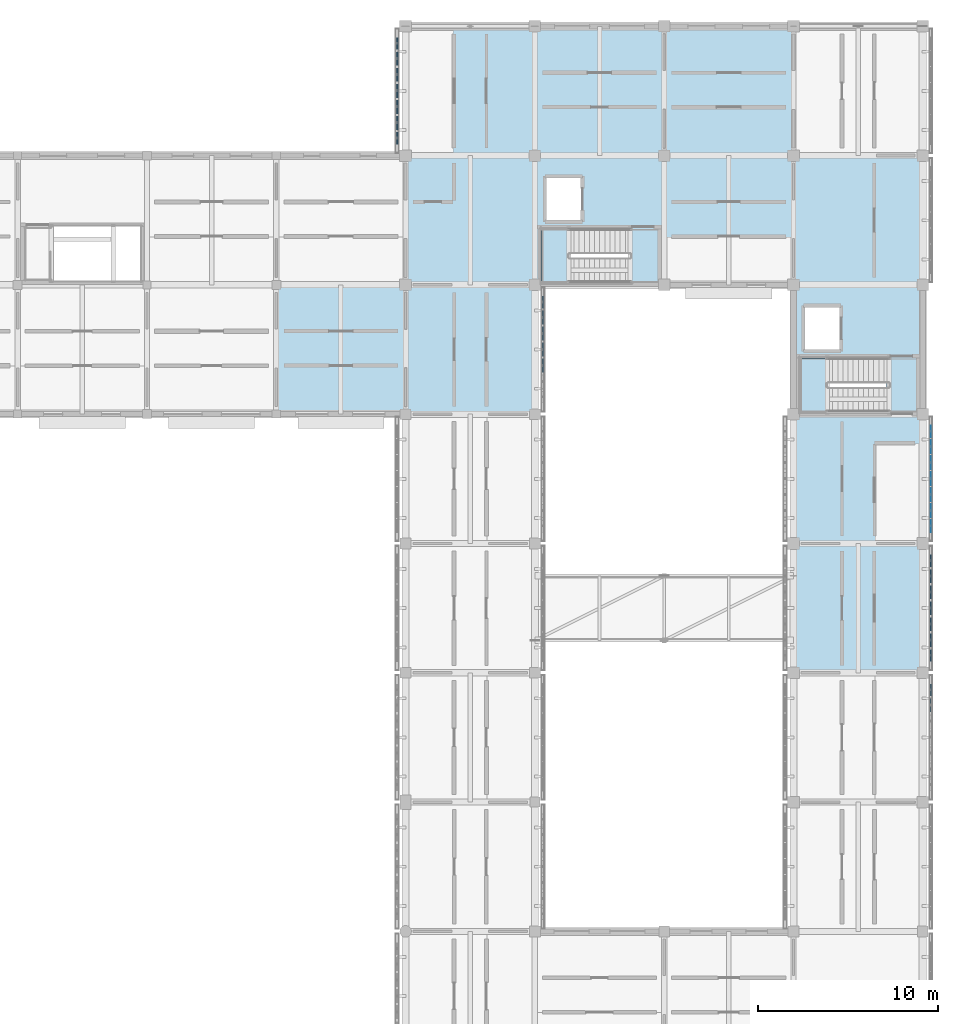
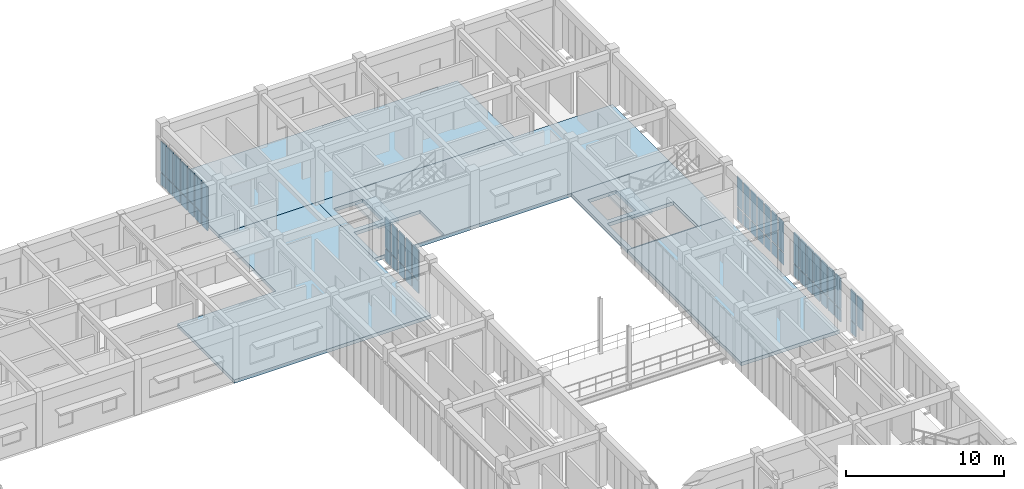
# One storey, part 111 of 171: 55 plates, 7 slabs, 7 elements without a shape of their own.
"""IFC4 building model written with IfcOpenShell, lengths in metres."""

import ifcopenshell
import ifcopenshell.guid

model = None  # the IFC model being written
_history = None  # IfcOwnerHistory: only IFC2X3 demands one
_inside = {}  # id of a spatial element -> (the spatial element, [elements in it])
_under = {}  # id of a project, library or spatial element -> (it, [spatial elements below it])
_declared = {}  # id of a project -> (the project, [libraries it declares])
_typed = {}  # id of a type object -> (the type object, [elements of that type])
_made_of = {}  # id of a material, layer set ... -> (it, [elements and type objects made of it])


def new_model(schema):
    """Start an empty IFC model of exactly this schema.

    Asked for "IFC4X3", IfcOpenShell would pick the latest addendum, in which some entities
    have other attributes; the version numbers below select the first issue.
    IFC2X3 requires an IfcOwnerHistory on every rooted entity: one is made here for all.
    """
    global model, _history
    if schema == "IFC4X3":
        model = ifcopenshell.file(schema_version=(4, 3, 0, 0))
    else:
        model = ifcopenshell.file(schema=schema)
    _inside.clear()
    _under.clear()
    _declared.clear()
    _typed.clear()
    _made_of.clear()
    _history = None
    if model.schema == "IFC2X3":
        org = make("IfcOrganization", Name="unknown")
        user = make(
            "IfcPersonAndOrganization",
            ThePerson=make("IfcPerson", FamilyName="unknown"),
            TheOrganization=org,
        )
        app = make(
            "IfcApplication",
            ApplicationDeveloper=org,
            Version="unknown",
            ApplicationFullName="unknown",
            ApplicationIdentifier="unknown",
        )
        _history = make(
            "IfcOwnerHistory",
            OwningUser=user,
            OwningApplication=app,
            ChangeAction="ADDED",
            CreationDate=0,
        )
    return model


def make(cls, **values):
    """One entity of the class cls with the attributes given. An attribute that is None is left unset."""
    return model.create_entity(
        cls, **{name: value for name, value in values.items() if value is not None}
    )


def rooted(cls, **values):
    """An entity with a GlobalId (a new one), such as an element, a storey or a relation."""
    return make(cls, GlobalId=ifcopenshell.guid.new(), OwnerHistory=_history, **values)


def si_unit(unit_type, name, prefix=None):
    """IfcSIUnit, for example si_unit("LENGTHUNIT", "METRE", prefix="MILLI")."""
    return make("IfcSIUnit", UnitType=unit_type, Prefix=prefix, Name=name)


def assignment(units):
    """IfcUnitAssignment: the units of a project."""
    return None if units is None else make("IfcUnitAssignment", Units=units)


def point(xyz):
    """IfcCartesianPoint."""
    return None if xyz is None else make("IfcCartesianPoint", Coordinates=xyz)


def direction(xyz):
    """IfcDirection."""
    return None if xyz is None else make("IfcDirection", DirectionRatios=xyz)


def frame(location, z_axis=None, x_axis=None):
    """IfcAxis2Placement3D, a coordinate frame: its origin and axes. An axis left out is left unset."""
    return make(
        "IfcAxis2Placement3D",
        Location=point(location),
        Axis=direction(z_axis),
        RefDirection=direction(x_axis),
    )


def frame_2d(location, x_axis=None):
    """IfcAxis2Placement2D, a coordinate frame in the plane: its origin and x axis."""
    return make(
        "IfcAxis2Placement2D", Location=point(location), RefDirection=direction(x_axis)
    )


def origin():
    """The frame at (0, 0, 0) with its axes left unset."""
    return frame((0.0, 0.0, 0.0))


def origin_2d():
    """The frame at (0, 0) in the plane with its x axis left unset."""
    return frame_2d((0.0, 0.0))


def place(relative_to, where):
    """IfcLocalPlacement: puts the frame where relative to a parent placement (None: the world)."""
    return make(
        "IfcLocalPlacement", PlacementRelTo=relative_to, RelativePlacement=where
    )


def context(
    kind, dimensions, precision=None, world=None, true_north=None, identifier=None
):
    """IfcGeometricRepresentationContext, for example the 3D "Model" context."""
    return make(
        "IfcGeometricRepresentationContext",
        ContextIdentifier=identifier,
        ContextType=kind,
        CoordinateSpaceDimension=dimensions,
        Precision=precision,
        WorldCoordinateSystem=world,
        TrueNorth=true_north,
    )


def subcontext(parent, identifier, kind, view, scale=None):
    """IfcGeometricRepresentationSubContext, for example "Body" below "Model"."""
    return make(
        "IfcGeometricRepresentationSubContext",
        ContextIdentifier=identifier,
        ContextType=kind,
        ParentContext=parent,
        TargetScale=scale,
        TargetView=view,
    )


def project(units=None, contexts=None):
    """IfcProject with its units and contexts."""
    return rooted(
        "IfcProject",
        Name="project",
        RepresentationContexts=contexts,
        UnitsInContext=assignment(units),
    )


def spatial(cls, under=None, at=None, **own):
    """A site, building, storey or space (cls), placed at a placement, below another one or the project."""
    s = rooted(cls, ObjectPlacement=at, **own)
    if under is not None:
        _under.setdefault(under.id(), (under, []))[1].append(s)
    return s


def polyline(points):
    """IfcPolyline through the points."""
    return make("IfcPolyline", Points=[point(p) for p in points])


def profile(cls, at=None, kind="AREA", **sizes):
    """A parametric profile (cls). Its sizes go by their IFC names, for example OverallWidth=200.0."""
    return make(cls, ProfileType=kind, Position=at, **sizes)


def rectangle(**sizes):
    """IfcRectangleProfileDef."""
    return profile("IfcRectangleProfileDef", **sizes)


def outline(outer, holes=None, kind="AREA"):
    """IfcArbitraryClosedProfileDef: a profile drawn as a closed curve; with holes, ...WithVoids."""
    if holes is None:
        return make("IfcArbitraryClosedProfileDef", ProfileType=kind, OuterCurve=outer)
    return make(
        "IfcArbitraryProfileDefWithVoids",
        ProfileType=kind,
        OuterCurve=outer,
        InnerCurves=holes,
    )


def extrude(swept, where, along, depth):
    """IfcExtrudedAreaSolid: the profile swept, set in the frame where, extruded along a direction by depth."""
    return make(
        "IfcExtrudedAreaSolid",
        SweptArea=swept,
        Position=where,
        ExtrudedDirection=direction(along),
        Depth=depth,
    )


def shape(context_of_items, identifier, shape_type, items):
    """IfcShapeRepresentation: the items that make up one representation, for example the "Body"."""
    return make(
        "IfcShapeRepresentation",
        ContextOfItems=context_of_items,
        RepresentationIdentifier=identifier,
        RepresentationType=shape_type,
        Items=items,
    )


def material(Name=None, Category=None):
    """IfcMaterial."""
    return make("IfcMaterial", Name=Name, Category=Category)


def layer(
    of_material, thickness, ventilated=None, Name=None, Category=None, Priority=None
):
    """IfcMaterialLayer: one layer of a wall or slab, of a material (None: an air gap)."""
    return make(
        "IfcMaterialLayer",
        Material=of_material,
        LayerThickness=thickness,
        IsVentilated=ventilated,
        Name=Name,
        Category=Category,
        Priority=Priority,
    )


def layer_set(layers, Name=None):
    """IfcMaterialLayerSet."""
    return make("IfcMaterialLayerSet", MaterialLayers=layers, LayerSetName=Name)


def made_of(thing, what):
    """Note that an element or type object is made of a material, layer set ...; save() writes the relation."""
    if what is not None:
        _made_of.setdefault(what.id(), (what, []))[1].append(thing)
    return thing


def type_object(cls, material=None, **own):
    """A type object (cls), such as IfcWallType, which elements share."""
    return made_of(rooted(cls, **own), material)


def element(
    cls,
    number,
    at=None,
    inside=None,
    cuts=None,
    type_object=None,
    material=None,
    context=None,
    identifier="Body",
    shape_type=None,
    held_by="IfcProductDefinitionShape",
    body=None,
    shapes=None,
    **own,
):
    """One element of the class cls, such as IfcWall. Its Tag is "e" and its number.

    at: its placement. inside: the storey or other place that contains it. cuts: it is an
    opening in that element (IfcRelVoidsElement). A single representation is given by context,
    identifier, shape_type and body (its items); several are given by shapes. held_by: the class
    of the entity that holds the representations. save() writes the other relations.
    """
    e = rooted(cls, Tag="e%d" % number, ObjectPlacement=at, **own)
    if body is not None:
        shapes = [shape(context, identifier, shape_type, body)]
    if shapes is not None:
        e.Representation = make(held_by, Representations=shapes)
    if inside is not None:
        _inside.setdefault(inside.id(), (inside, []))[1].append(e)
    if cuts is not None:
        rooted(
            "IfcRelVoidsElement", RelatingBuildingElement=cuts, RelatedOpeningElement=e
        )
    if type_object is not None:
        _typed.setdefault(type_object.id(), (type_object, []))[1].append(e)
    return made_of(e, material)


def aggregate(whole, parts):
    """IfcRelAggregates: a whole, such as a stair, and the parts it consists of."""
    return rooted("IfcRelAggregates", RelatingObject=whole, RelatedObjects=parts)


def save(model, path):
    """Write the relations noted so far, then the file.

    IfcRelAggregates (storeys below a building ...), IfcRelContainedInSpatialStructure (elements
    in a storey), IfcRelDefinesByType, IfcRelAssociatesMaterial and IfcRelDeclares: one each for
    every whole, place, type object, material and project.
    """
    for whole, parts in _under.values():
        aggregate(whole, parts)
    for where, things in _inside.values():
        rooted(
            "IfcRelContainedInSpatialStructure",
            RelatedElements=things,
            RelatingStructure=where,
        )
    for kind, things in _typed.values():
        rooted("IfcRelDefinesByType", RelatedObjects=things, RelatingType=kind)
    for what, things in _made_of.values():
        rooted("IfcRelAssociatesMaterial", RelatedObjects=things, RelatingMaterial=what)
    for by, libraries in _declared.values():
        rooted("IfcRelDeclares", RelatingContext=by, RelatedDefinitions=libraries)
    model.write(path)


model = new_model("IFC4")

# Units and contexts
model_context = context("Model", 3, precision=1e-05, world=origin(), true_north=direction((0.0, 1.0)))
body_context = subcontext(model_context, "Body", "Model", "MODEL_VIEW")
ifc_project = project(units=[si_unit("LENGTHUNIT", "METRE"), si_unit("AREAUNIT", "SQUARE_METRE"), si_unit("VOLUMEUNIT", "CUBIC_METRE"), si_unit("PLANEANGLEUNIT", "RADIAN"), si_unit("MASSUNIT", "GRAM", prefix="KILO")], contexts=[model_context])

# Site, building, storey
site_placement = place(None, origin())
site = spatial("IfcSite", under=ifc_project, at=site_placement, CompositionType="ELEMENT")
building_placement = place(site_placement, origin())
building = spatial("IfcBuilding", under=site, at=building_placement, Name="Aldebral Square Health Centre", CompositionType="ELEMENT")
storey_placement = place(building_placement, frame((0.0, 0.0, 4.5)))
storey = spatial("IfcBuildingStorey", under=building, at=storey_placement, Name="L01", CompositionType="ELEMENT", Elevation=4.5)

# Curtain wall, plates
ifc_material_1 = material(Name="Aluminium and low-E solar glass", Category="aluminium")
curtain_wall_type = type_object("IfcCurtainWallType", Name="CW-FIN-SYS", PredefinedType="USERDEFINED", material=ifc_material_1)
curtain_wall_1_placement = place(storey_placement, origin())
curtain_wall_1 = element("IfcCurtainWall", 1, at=curtain_wall_1_placement, inside=storey, type_object=curtain_wall_type, Name="L01 V5 finned curtain wall L01-V5-22-12-E", ObjectType="SOLAR_CURTAIN_WALL", PredefinedType="USERDEFINED")
ifc_material_2 = material(Name="Solar-control low-E double glass", Category="glass")
ifc_layer_1 = layer(ifc_material_2, 0.02001953125, Name="Solar-control low-E double glass", Category="glass")
ifc_layer_set_1 = layer_set([ifc_layer_1], Name="Solar-control low-E double glass")
plate_type_1 = type_object("IfcPlateType", Name="CWP-GLZ-1", PredefinedType="CURTAIN_PANEL", material=ifc_layer_set_1)
plate_1_placement = place(storey_placement, frame((166.06005859375, 87.36572265625, 0.074951171875), z_axis=(0.0, 0.0, 1.0), x_axis=(0.0, 1.0, 0.0)))
plate_1 = element("IfcPlate", 2, at=plate_1_placement, type_object=plate_type_1, Name="CW1 panel 1.1", PredefinedType="CURTAIN_PANEL", context=body_context, shape_type="SweptSolid", body=[
    extrude(rectangle(XDim=0.6513671875, YDim=0.02001953125, at=origin_2d()), origin(), (0.0, 0.0, 1.0), 0.9375),
])
plate_2_placement = place(storey_placement, frame((166.06005859375, 87.36572265625, 1.087646484375), z_axis=(0.0, 0.0, 1.0), x_axis=(0.0, 1.0, 0.0)))
plate_2 = element("IfcPlate", 3, at=plate_2_placement, type_object=plate_type_1, Name="CW1 panel 1.2", PredefinedType="CURTAIN_PANEL", context=body_context, shape_type="SweptSolid", body=[
    extrude(rectangle(XDim=0.6513671875, YDim=0.02001953125, at=origin_2d()), origin(), (0.0, 0.0, 1.0), 2.357421875),
])
plate_3_placement = place(storey_placement, frame((166.06005859375, 88.217041015625, 0.074951171875), z_axis=(0.0, 0.0, 1.0), x_axis=(0.0, 1.0, 0.0)))
plate_3 = element("IfcPlate", 4, at=plate_3_placement, type_object=plate_type_1, Name="CW1 panel 2.1", PredefinedType="CURTAIN_PANEL", context=body_context, shape_type="SweptSolid", body=[
    extrude(rectangle(XDim=0.7314453125, YDim=0.02001953125, at=origin_2d()), origin(), (0.0, 0.0, 1.0), 0.9375),
])
plate_4_placement = place(storey_placement, frame((166.06005859375, 88.217041015625, 1.087646484375), z_axis=(0.0, 0.0, 1.0), x_axis=(0.0, 1.0, 0.0)))
plate_4 = element("IfcPlate", 5, at=plate_4_placement, type_object=plate_type_1, Name="CW1 panel 2.2", PredefinedType="CURTAIN_PANEL", context=body_context, shape_type="SweptSolid", body=[
    extrude(rectangle(XDim=0.7314453125, YDim=0.02001953125, at=origin_2d()), origin(), (0.0, 0.0, 1.0), 2.357421875),
])
plate_5_placement = place(storey_placement, frame((166.06005859375, 89.108642578125, 0.074951171875), z_axis=(0.0, 0.0, 1.0), x_axis=(0.0, 1.0, 0.0)))
plate_5 = element("IfcPlate", 6, at=plate_5_placement, type_object=plate_type_1, Name="CW1 panel 3.1", PredefinedType="CURTAIN_PANEL", context=body_context, shape_type="SweptSolid", body=[
    extrude(rectangle(XDim=0.7314453125, YDim=0.02001953125, at=origin_2d()), origin(), (0.0, 0.0, 1.0), 0.9375),
])
plate_6_placement = place(storey_placement, frame((166.06005859375, 89.108642578125, 1.087646484375), z_axis=(0.0, 0.0, 1.0), x_axis=(0.0, 1.0, 0.0)))
plate_6 = element("IfcPlate", 7, at=plate_6_placement, type_object=plate_type_1, Name="CW1 panel 3.2", PredefinedType="CURTAIN_PANEL", context=body_context, shape_type="SweptSolid", body=[
    extrude(rectangle(XDim=0.7314453125, YDim=0.02001953125, at=origin_2d()), origin(), (0.0, 0.0, 1.0), 2.357421875),
])
plate_7_placement = place(storey_placement, frame((166.06005859375, 90.0, 0.074951171875), z_axis=(0.0, 0.0, 1.0), x_axis=(0.0, 1.0, 0.0)))
plate_7 = element("IfcPlate", 8, at=plate_7_placement, type_object=plate_type_1, Name="CW1 panel 4.1", PredefinedType="CURTAIN_PANEL", context=body_context, shape_type="SweptSolid", body=[
    extrude(rectangle(XDim=0.7314453125, YDim=0.02001953125, at=origin_2d()), origin(), (0.0, 0.0, 1.0), 0.9375),
])
plate_8_placement = place(storey_placement, frame((166.06005859375, 90.0, 1.087646484375), z_axis=(0.0, 0.0, 1.0), x_axis=(0.0, 1.0, 0.0)))
plate_8 = element("IfcPlate", 9, at=plate_8_placement, type_object=plate_type_1, Name="CW1 panel 4.2", PredefinedType="CURTAIN_PANEL", context=body_context, shape_type="SweptSolid", body=[
    extrude(rectangle(XDim=0.7314453125, YDim=0.02001953125, at=origin_2d()), origin(), (0.0, 0.0, 1.0), 2.357421875),
])
plate_9_placement = place(storey_placement, frame((166.06005859375, 90.891357421875, 0.074951171875), z_axis=(0.0, 0.0, 1.0), x_axis=(0.0, 1.0, 0.0)))
plate_9 = element("IfcPlate", 10, at=plate_9_placement, type_object=plate_type_1, Name="CW1 panel 5.1", PredefinedType="CURTAIN_PANEL", context=body_context, shape_type="SweptSolid", body=[
    extrude(rectangle(XDim=0.7314453125, YDim=0.02001953125, at=origin_2d()), origin(), (0.0, 0.0, 1.0), 0.9375),
])
plate_10_placement = place(storey_placement, frame((166.06005859375, 90.891357421875, 1.087646484375), z_axis=(0.0, 0.0, 1.0), x_axis=(0.0, 1.0, 0.0)))
plate_10 = element("IfcPlate", 11, at=plate_10_placement, type_object=plate_type_1, Name="CW1 panel 5.2", PredefinedType="CURTAIN_PANEL", context=body_context, shape_type="SweptSolid", body=[
    extrude(rectangle(XDim=0.7314453125, YDim=0.02001953125, at=origin_2d()), origin(), (0.0, 0.0, 1.0), 2.357421875),
])
plate_11_placement = place(storey_placement, frame((166.06005859375, 91.782958984375, 0.074951171875), z_axis=(0.0, 0.0, 1.0), x_axis=(0.0, 1.0, 0.0)))
plate_11 = element("IfcPlate", 12, at=plate_11_placement, type_object=plate_type_1, Name="CW1 panel 6.1", PredefinedType="CURTAIN_PANEL", context=body_context, shape_type="SweptSolid", body=[
    extrude(rectangle(XDim=0.7314453125, YDim=0.02001953125, at=origin_2d()), origin(), (0.0, 0.0, 1.0), 0.9375),
])
plate_12_placement = place(storey_placement, frame((166.06005859375, 91.782958984375, 1.087646484375), z_axis=(0.0, 0.0, 1.0), x_axis=(0.0, 1.0, 0.0)))
plate_12 = element("IfcPlate", 13, at=plate_12_placement, type_object=plate_type_1, Name="CW1 panel 6.2", PredefinedType="CURTAIN_PANEL", context=body_context, shape_type="SweptSolid", body=[
    extrude(rectangle(XDim=0.7314453125, YDim=0.02001953125, at=origin_2d()), origin(), (0.0, 0.0, 1.0), 2.357421875),
])
plate_13_placement = place(storey_placement, frame((166.06005859375, 92.63427734375, 0.074951171875), z_axis=(0.0, 0.0, 1.0), x_axis=(0.0, 1.0, 0.0)))
plate_13 = element("IfcPlate", 14, at=plate_13_placement, type_object=plate_type_1, Name="CW1 panel 7.1", PredefinedType="CURTAIN_PANEL", context=body_context, shape_type="SweptSolid", body=[
    extrude(rectangle(XDim=0.6513671875, YDim=0.02001953125, at=origin_2d()), origin(), (0.0, 0.0, 1.0), 0.9375),
])
plate_14_placement = place(storey_placement, frame((166.06005859375, 92.63427734375, 1.087646484375), z_axis=(0.0, 0.0, 1.0), x_axis=(0.0, 1.0, 0.0)))
plate_14 = element("IfcPlate", 15, at=plate_14_placement, type_object=plate_type_1, Name="CW1 panel 7.2", PredefinedType="CURTAIN_PANEL", context=body_context, shape_type="SweptSolid", body=[
    extrude(rectangle(XDim=0.6513671875, YDim=0.02001953125, at=origin_2d()), origin(), (0.0, 0.0, 1.0), 2.357421875),
])
aggregate(curtain_wall_1, [plate_1, plate_2, plate_3, plate_4, plate_5, plate_6, plate_7, plate_8, plate_9, plate_10, plate_11, plate_12, plate_13, plate_14])

curtain_wall_2_placement = place(storey_placement, origin())
curtain_wall_2 = element("IfcCurtainWall", 16, at=curtain_wall_2_placement, inside=storey, type_object=curtain_wall_type, Name="L01 V5 finned curtain wall L01-V5-22-10-E", ObjectType="SOLAR_CURTAIN_WALL", PredefinedType="USERDEFINED")
ifc_layer_2 = layer(ifc_material_2, 0.06005859375, Name="Solar-control low-E double glass", Category="glass")
ifc_layer_set_2 = layer_set([ifc_layer_2], Name="Solar-control low-E double glass")
plate_type_2 = type_object("IfcPlateType", Name="CWP-GLZ-5", PredefinedType="CURTAIN_PANEL", material=ifc_layer_set_2)
plate_15_placement = place(storey_placement, frame((166.06005859375, 77.3828125, 1.087646484375), z_axis=(0.0, 0.0, 1.0), x_axis=(0.0, 1.0, 0.0)))
plate_15 = element("IfcPlate", 17, at=plate_15_placement, type_object=plate_type_2, Name="CW1 panel 6.2", PredefinedType="CURTAIN_PANEL", context=body_context, shape_type="SweptSolid", body=[
    extrude(rectangle(XDim=0.7314453125, YDim=0.06005859375, at=origin_2d()), origin(), (0.0, 0.0, 1.0), 2.357421875),
])
plate_16_placement = place(storey_placement, frame((166.06005859375, 78.234375, 0.074951171875), z_axis=(0.0, 0.0, 1.0), x_axis=(0.0, 1.0, 0.0)))
plate_16 = element("IfcPlate", 18, at=plate_16_placement, type_object=plate_type_2, Name="CW1 panel 7.1", PredefinedType="CURTAIN_PANEL", context=body_context, shape_type="SweptSolid", body=[
    extrude(rectangle(XDim=0.6513671875, YDim=0.06005859375, at=origin_2d()), origin(), (0.0, 0.0, 1.0), 0.9375),
])
plate_17_placement = place(storey_placement, frame((166.06005859375, 78.234375, 1.087646484375), z_axis=(0.0, 0.0, 1.0), x_axis=(0.0, 1.0, 0.0)))
plate_17 = element("IfcPlate", 19, at=plate_17_placement, type_object=plate_type_2, Name="CW1 panel 7.2", PredefinedType="CURTAIN_PANEL", context=body_context, shape_type="SweptSolid", body=[
    extrude(rectangle(XDim=0.6513671875, YDim=0.06005859375, at=origin_2d()), origin(), (0.0, 0.0, 1.0), 2.357421875),
])
aggregate(curtain_wall_2, [plate_15, plate_16, plate_17])

curtain_wall_3_placement = place(storey_placement, origin())
curtain_wall_3 = element("IfcCurtainWall", 20, at=curtain_wall_3_placement, inside=storey, type_object=curtain_wall_type, Name="L01 V5 finned curtain wall L01-V5-19-13-E", ObjectType="SOLAR_CURTAIN_WALL", PredefinedType="USERDEFINED")
ifc_layer_3 = layer(ifc_material_2, 0.070068359375, Name="Solar-control low-E double glass", Category="glass")
ifc_layer_set_3 = layer_set([ifc_layer_3], Name="Solar-control low-E double glass")
plate_type_3 = type_object("IfcPlateType", Name="CWP-GLZ-6", PredefinedType="CURTAIN_PANEL", material=ifc_layer_set_3)
plate_18_placement = place(storey_placement, frame((144.4599609375, 96.30859375, 0.074951171875), z_axis=(0.0, 0.0, 1.0), x_axis=(0.0, 1.0, 0.0)))
plate_18 = element("IfcPlate", 21, at=plate_18_placement, type_object=plate_type_3, Name="CW1 panel 3.1", PredefinedType="CURTAIN_PANEL", context=body_context, shape_type="SweptSolid", body=[
    extrude(rectangle(XDim=0.7314453125, YDim=0.070068359375, at=origin_2d()), origin(), (0.0, 0.0, 1.0), 0.9375),
])
plate_19_placement = place(storey_placement, frame((144.4599609375, 96.30859375, 1.087646484375), z_axis=(0.0, 0.0, 1.0), x_axis=(0.0, 1.0, 0.0)))
plate_19 = element("IfcPlate", 22, at=plate_19_placement, type_object=plate_type_3, Name="CW1 panel 3.2", PredefinedType="CURTAIN_PANEL", context=body_context, shape_type="SweptSolid", body=[
    extrude(rectangle(XDim=0.7314453125, YDim=0.070068359375, at=origin_2d()), origin(), (0.0, 0.0, 1.0), 2.357421875),
])
plate_20_placement = place(storey_placement, frame((144.4599609375, 97.199951171875, 0.074951171875), z_axis=(0.0, 0.0, 1.0), x_axis=(0.0, 1.0, 0.0)))
plate_20 = element("IfcPlate", 23, at=plate_20_placement, type_object=plate_type_3, Name="CW1 panel 4.1", PredefinedType="CURTAIN_PANEL", context=body_context, shape_type="SweptSolid", body=[
    extrude(rectangle(XDim=0.7314453125, YDim=0.070068359375, at=origin_2d()), origin(), (0.0, 0.0, 1.0), 0.9375),
])
plate_21_placement = place(storey_placement, frame((144.4599609375, 97.199951171875, 1.087646484375), z_axis=(0.0, 0.0, 1.0), x_axis=(0.0, 1.0, 0.0)))
plate_21 = element("IfcPlate", 24, at=plate_21_placement, type_object=plate_type_3, Name="CW1 panel 4.2", PredefinedType="CURTAIN_PANEL", context=body_context, shape_type="SweptSolid", body=[
    extrude(rectangle(XDim=0.7314453125, YDim=0.070068359375, at=origin_2d()), origin(), (0.0, 0.0, 1.0), 2.357421875),
])
plate_22_placement = place(storey_placement, frame((144.4599609375, 98.09130859375, 0.074951171875), z_axis=(0.0, 0.0, 1.0), x_axis=(0.0, 1.0, 0.0)))
plate_22 = element("IfcPlate", 25, at=plate_22_placement, type_object=plate_type_3, Name="CW1 panel 5.1", PredefinedType="CURTAIN_PANEL", context=body_context, shape_type="SweptSolid", body=[
    extrude(rectangle(XDim=0.7314453125, YDim=0.070068359375, at=origin_2d()), origin(), (0.0, 0.0, 1.0), 0.9375),
])
plate_23_placement = place(storey_placement, frame((144.4599609375, 98.09130859375, 1.087646484375), z_axis=(0.0, 0.0, 1.0), x_axis=(0.0, 1.0, 0.0)))
plate_23 = element("IfcPlate", 26, at=plate_23_placement, type_object=plate_type_3, Name="CW1 panel 5.2", PredefinedType="CURTAIN_PANEL", context=body_context, shape_type="SweptSolid", body=[
    extrude(rectangle(XDim=0.7314453125, YDim=0.070068359375, at=origin_2d()), origin(), (0.0, 0.0, 1.0), 2.357421875),
])
plate_24_placement = place(storey_placement, frame((144.4599609375, 98.98291015625, 0.074951171875), z_axis=(0.0, 0.0, 1.0), x_axis=(0.0, 1.0, 0.0)))
plate_24 = element("IfcPlate", 27, at=plate_24_placement, type_object=plate_type_3, Name="CW1 panel 6.1", PredefinedType="CURTAIN_PANEL", context=body_context, shape_type="SweptSolid", body=[
    extrude(rectangle(XDim=0.7314453125, YDim=0.070068359375, at=origin_2d()), origin(), (0.0, 0.0, 1.0), 0.9375),
])
plate_25_placement = place(storey_placement, frame((144.4599609375, 98.98291015625, 1.087646484375), z_axis=(0.0, 0.0, 1.0), x_axis=(0.0, 1.0, 0.0)))
plate_25 = element("IfcPlate", 28, at=plate_25_placement, type_object=plate_type_3, Name="CW1 panel 6.2", PredefinedType="CURTAIN_PANEL", context=body_context, shape_type="SweptSolid", body=[
    extrude(rectangle(XDim=0.7314453125, YDim=0.070068359375, at=origin_2d()), origin(), (0.0, 0.0, 1.0), 2.357421875),
])
plate_26_placement = place(storey_placement, frame((144.4599609375, 99.834228515625, 0.074951171875), z_axis=(0.0, 0.0, 1.0), x_axis=(0.0, 1.0, 0.0)))
plate_26 = element("IfcPlate", 29, at=plate_26_placement, type_object=plate_type_3, Name="CW1 panel 7.1", PredefinedType="CURTAIN_PANEL", context=body_context, shape_type="SweptSolid", body=[
    extrude(rectangle(XDim=0.6513671875, YDim=0.070068359375, at=origin_2d()), origin(), (0.0, 0.0, 1.0), 0.9375),
])
plate_27_placement = place(storey_placement, frame((144.4599609375, 99.834228515625, 1.087646484375), z_axis=(0.0, 0.0, 1.0), x_axis=(0.0, 1.0, 0.0)))
plate_27 = element("IfcPlate", 30, at=plate_27_placement, type_object=plate_type_3, Name="CW1 panel 7.2", PredefinedType="CURTAIN_PANEL", context=body_context, shape_type="SweptSolid", body=[
    extrude(rectangle(XDim=0.6513671875, YDim=0.070068359375, at=origin_2d()), origin(), (0.0, 0.0, 1.0), 2.357421875),
])
aggregate(curtain_wall_3, [plate_18, plate_19, plate_20, plate_21, plate_22, plate_23, plate_24, plate_25, plate_26, plate_27])

curtain_wall_4_placement = place(storey_placement, origin())
curtain_wall_4 = element("IfcCurtainWall", 31, at=curtain_wall_4_placement, inside=storey, type_object=curtain_wall_type, Name="L01 V5 finned curtain wall L01-V5-19-15-W", ObjectType="SOLAR_CURTAIN_WALL", PredefinedType="USERDEFINED")
ifc_layer_4 = layer(ifc_material_2, 0.080078125, Name="Solar-control low-E double glass", Category="glass")
ifc_layer_set_4 = layer_set([ifc_layer_4], Name="Solar-control low-E double glass")
plate_type_4 = type_object("IfcPlateType", Name="CWP-GLZ-7", PredefinedType="CURTAIN_PANEL", material=ifc_layer_set_4)
plate_28_placement = place(storey_placement, frame((136.340087890625, 114.234375, 0.074951171875), z_axis=(0.0, 0.0, 1.0), x_axis=(0.0, -1.0, 0.0)))
plate_28 = element("IfcPlate", 32, at=plate_28_placement, type_object=plate_type_4, Name="CW1 panel 1.1", PredefinedType="CURTAIN_PANEL", context=body_context, shape_type="SweptSolid", body=[
    extrude(rectangle(XDim=0.6513671875, YDim=0.080078125, at=origin_2d()), origin(), (0.0, 0.0, 1.0), 0.9375),
])
plate_29_placement = place(storey_placement, frame((136.340087890625, 114.234375, 1.087646484375), z_axis=(0.0, 0.0, 1.0), x_axis=(0.0, -1.0, 0.0)))
plate_29 = element("IfcPlate", 33, at=plate_29_placement, type_object=plate_type_4, Name="CW1 panel 1.2", PredefinedType="CURTAIN_PANEL", context=body_context, shape_type="SweptSolid", body=[
    extrude(rectangle(XDim=0.6513671875, YDim=0.080078125, at=origin_2d()), origin(), (0.0, 0.0, 1.0), 2.357421875),
])
plate_30_placement = place(storey_placement, frame((136.340087890625, 113.3828125, 0.074951171875), z_axis=(0.0, 0.0, 1.0), x_axis=(0.0, -1.0, 0.0)))
plate_30 = element("IfcPlate", 34, at=plate_30_placement, type_object=plate_type_4, Name="CW1 panel 2.1", PredefinedType="CURTAIN_PANEL", context=body_context, shape_type="SweptSolid", body=[
    extrude(rectangle(XDim=0.7314453125, YDim=0.080078125, at=origin_2d()), origin(), (0.0, 0.0, 1.0), 0.9375),
])
plate_31_placement = place(storey_placement, frame((136.340087890625, 113.3828125, 1.087646484375), z_axis=(0.0, 0.0, 1.0), x_axis=(0.0, -1.0, 0.0)))
plate_31 = element("IfcPlate", 35, at=plate_31_placement, type_object=plate_type_4, Name="CW1 panel 2.2", PredefinedType="CURTAIN_PANEL", context=body_context, shape_type="SweptSolid", body=[
    extrude(rectangle(XDim=0.7314453125, YDim=0.080078125, at=origin_2d()), origin(), (0.0, 0.0, 1.0), 2.357421875),
])
plate_32_placement = place(storey_placement, frame((136.340087890625, 112.491455078125, 0.074951171875), z_axis=(0.0, 0.0, 1.0), x_axis=(0.0, -1.0, 0.0)))
plate_32 = element("IfcPlate", 36, at=plate_32_placement, type_object=plate_type_4, Name="CW1 panel 3.1", PredefinedType="CURTAIN_PANEL", context=body_context, shape_type="SweptSolid", body=[
    extrude(rectangle(XDim=0.7314453125, YDim=0.080078125, at=origin_2d()), origin(), (0.0, 0.0, 1.0), 0.9375),
])
plate_33_placement = place(storey_placement, frame((136.340087890625, 112.491455078125, 1.087646484375), z_axis=(0.0, 0.0, 1.0), x_axis=(0.0, -1.0, 0.0)))
plate_33 = element("IfcPlate", 37, at=plate_33_placement, type_object=plate_type_4, Name="CW1 panel 3.2", PredefinedType="CURTAIN_PANEL", context=body_context, shape_type="SweptSolid", body=[
    extrude(rectangle(XDim=0.7314453125, YDim=0.080078125, at=origin_2d()), origin(), (0.0, 0.0, 1.0), 2.357421875),
])
plate_34_placement = place(storey_placement, frame((136.340087890625, 111.60009765625, 0.074951171875), z_axis=(0.0, 0.0, 1.0), x_axis=(0.0, -1.0, 0.0)))
plate_34 = element("IfcPlate", 38, at=plate_34_placement, type_object=plate_type_4, Name="CW1 panel 4.1", PredefinedType="CURTAIN_PANEL", context=body_context, shape_type="SweptSolid", body=[
    extrude(rectangle(XDim=0.7314453125, YDim=0.080078125, at=origin_2d()), origin(), (0.0, 0.0, 1.0), 0.9375),
])
plate_35_placement = place(storey_placement, frame((136.340087890625, 111.60009765625, 1.087646484375), z_axis=(0.0, 0.0, 1.0), x_axis=(0.0, -1.0, 0.0)))
plate_35 = element("IfcPlate", 39, at=plate_35_placement, type_object=plate_type_4, Name="CW1 panel 4.2", PredefinedType="CURTAIN_PANEL", context=body_context, shape_type="SweptSolid", body=[
    extrude(rectangle(XDim=0.7314453125, YDim=0.080078125, at=origin_2d()), origin(), (0.0, 0.0, 1.0), 2.357421875),
])
plate_36_placement = place(storey_placement, frame((136.340087890625, 110.70849609375, 0.074951171875), z_axis=(0.0, 0.0, 1.0), x_axis=(0.0, -1.0, 0.0)))
plate_36 = element("IfcPlate", 40, at=plate_36_placement, type_object=plate_type_4, Name="CW1 panel 5.1", PredefinedType="CURTAIN_PANEL", context=body_context, shape_type="SweptSolid", body=[
    extrude(rectangle(XDim=0.7314453125, YDim=0.080078125, at=origin_2d()), origin(), (0.0, 0.0, 1.0), 0.9375),
])
plate_37_placement = place(storey_placement, frame((136.340087890625, 110.70849609375, 1.087646484375), z_axis=(0.0, 0.0, 1.0), x_axis=(0.0, -1.0, 0.0)))
plate_37 = element("IfcPlate", 41, at=plate_37_placement, type_object=plate_type_4, Name="CW1 panel 5.2", PredefinedType="CURTAIN_PANEL", context=body_context, shape_type="SweptSolid", body=[
    extrude(rectangle(XDim=0.7314453125, YDim=0.080078125, at=origin_2d()), origin(), (0.0, 0.0, 1.0), 2.357421875),
])
plate_38_placement = place(storey_placement, frame((136.340087890625, 109.817138671875, 0.074951171875), z_axis=(0.0, 0.0, 1.0), x_axis=(0.0, -1.0, 0.0)))
plate_38 = element("IfcPlate", 42, at=plate_38_placement, type_object=plate_type_4, Name="CW1 panel 6.1", PredefinedType="CURTAIN_PANEL", context=body_context, shape_type="SweptSolid", body=[
    extrude(rectangle(XDim=0.7314453125, YDim=0.080078125, at=origin_2d()), origin(), (0.0, 0.0, 1.0), 0.9375),
])
plate_39_placement = place(storey_placement, frame((136.340087890625, 109.817138671875, 1.087646484375), z_axis=(0.0, 0.0, 1.0), x_axis=(0.0, -1.0, 0.0)))
plate_39 = element("IfcPlate", 43, at=plate_39_placement, type_object=plate_type_4, Name="CW1 panel 6.2", PredefinedType="CURTAIN_PANEL", context=body_context, shape_type="SweptSolid", body=[
    extrude(rectangle(XDim=0.7314453125, YDim=0.080078125, at=origin_2d()), origin(), (0.0, 0.0, 1.0), 2.357421875),
])
plate_40_placement = place(storey_placement, frame((136.340087890625, 108.9658203125, 0.074951171875), z_axis=(0.0, 0.0, 1.0), x_axis=(0.0, -1.0, 0.0)))
plate_40 = element("IfcPlate", 44, at=plate_40_placement, type_object=plate_type_4, Name="CW1 panel 7.1", PredefinedType="CURTAIN_PANEL", context=body_context, shape_type="SweptSolid", body=[
    extrude(rectangle(XDim=0.6513671875, YDim=0.080078125, at=origin_2d()), origin(), (0.0, 0.0, 1.0), 0.9375),
])
plate_41_placement = place(storey_placement, frame((136.340087890625, 108.9658203125, 1.087646484375), z_axis=(0.0, 0.0, 1.0), x_axis=(0.0, -1.0, 0.0)))
plate_41 = element("IfcPlate", 45, at=plate_41_placement, type_object=plate_type_4, Name="CW1 panel 7.2", PredefinedType="CURTAIN_PANEL", context=body_context, shape_type="SweptSolid", body=[
    extrude(rectangle(XDim=0.6513671875, YDim=0.080078125, at=origin_2d()), origin(), (0.0, 0.0, 1.0), 2.357421875),
])
aggregate(curtain_wall_4, [plate_28, plate_29, plate_30, plate_31, plate_32, plate_33, plate_34, plate_35, plate_36, plate_37, plate_38, plate_39, plate_40, plate_41])

curtain_wall_5_placement = place(storey_placement, origin())
curtain_wall_5 = element("IfcCurtainWall", 46, at=curtain_wall_5_placement, inside=storey, type_object=curtain_wall_type, Name="L01 V5 finned curtain wall L01-V5-22-11-E", ObjectType="SOLAR_CURTAIN_WALL", PredefinedType="USERDEFINED")
plate_42_placement = place(storey_placement, frame((166.06005859375, 80.165771484375, 0.074951171875), z_axis=(0.0, 0.0, 1.0), x_axis=(0.0, 1.0, 0.0)))
plate_42 = element("IfcPlate", 47, at=plate_42_placement, type_object=plate_type_4, Name="CW1 panel 1.1", PredefinedType="CURTAIN_PANEL", context=body_context, shape_type="SweptSolid", body=[
    extrude(rectangle(XDim=0.6513671875, YDim=0.080078125, at=origin_2d()), origin(), (0.0, 0.0, 1.0), 0.9375),
])
plate_43_placement = place(storey_placement, frame((166.06005859375, 80.165771484375, 1.087646484375), z_axis=(0.0, 0.0, 1.0), x_axis=(0.0, 1.0, 0.0)))
plate_43 = element("IfcPlate", 48, at=plate_43_placement, type_object=plate_type_4, Name="CW1 panel 1.2", PredefinedType="CURTAIN_PANEL", context=body_context, shape_type="SweptSolid", body=[
    extrude(rectangle(XDim=0.6513671875, YDim=0.080078125, at=origin_2d()), origin(), (0.0, 0.0, 1.0), 2.357421875),
])
plate_44_placement = place(storey_placement, frame((166.06005859375, 81.01708984375, 0.074951171875), z_axis=(0.0, 0.0, 1.0), x_axis=(0.0, 1.0, 0.0)))
plate_44 = element("IfcPlate", 49, at=plate_44_placement, type_object=plate_type_4, Name="CW1 panel 2.1", PredefinedType="CURTAIN_PANEL", context=body_context, shape_type="SweptSolid", body=[
    extrude(rectangle(XDim=0.7314453125, YDim=0.080078125, at=origin_2d()), origin(), (0.0, 0.0, 1.0), 0.9375),
])
plate_45_placement = place(storey_placement, frame((166.06005859375, 81.01708984375, 1.087646484375), z_axis=(0.0, 0.0, 1.0), x_axis=(0.0, 1.0, 0.0)))
plate_45 = element("IfcPlate", 50, at=plate_45_placement, type_object=plate_type_4, Name="CW1 panel 2.2", PredefinedType="CURTAIN_PANEL", context=body_context, shape_type="SweptSolid", body=[
    extrude(rectangle(XDim=0.7314453125, YDim=0.080078125, at=origin_2d()), origin(), (0.0, 0.0, 1.0), 2.357421875),
])
plate_46_placement = place(storey_placement, frame((166.06005859375, 81.90869140625, 0.074951171875), z_axis=(0.0, 0.0, 1.0), x_axis=(0.0, 1.0, 0.0)))
plate_46 = element("IfcPlate", 51, at=plate_46_placement, type_object=plate_type_4, Name="CW1 panel 3.1", PredefinedType="CURTAIN_PANEL", context=body_context, shape_type="SweptSolid", body=[
    extrude(rectangle(XDim=0.7314453125, YDim=0.080078125, at=origin_2d()), origin(), (0.0, 0.0, 1.0), 0.9375),
])
plate_47_placement = place(storey_placement, frame((166.06005859375, 81.90869140625, 1.087646484375), z_axis=(0.0, 0.0, 1.0), x_axis=(0.0, 1.0, 0.0)))
plate_47 = element("IfcPlate", 52, at=plate_47_placement, type_object=plate_type_4, Name="CW1 panel 3.2", PredefinedType="CURTAIN_PANEL", context=body_context, shape_type="SweptSolid", body=[
    extrude(rectangle(XDim=0.7314453125, YDim=0.080078125, at=origin_2d()), origin(), (0.0, 0.0, 1.0), 2.357421875),
])
plate_48_placement = place(storey_placement, frame((166.06005859375, 82.800048828125, 0.074951171875), z_axis=(0.0, 0.0, 1.0), x_axis=(0.0, 1.0, 0.0)))
plate_48 = element("IfcPlate", 53, at=plate_48_placement, type_object=plate_type_4, Name="CW1 panel 4.1", PredefinedType="CURTAIN_PANEL", context=body_context, shape_type="SweptSolid", body=[
    extrude(rectangle(XDim=0.7314453125, YDim=0.080078125, at=origin_2d()), origin(), (0.0, 0.0, 1.0), 0.9375),
])
plate_49_placement = place(storey_placement, frame((166.06005859375, 82.800048828125, 1.087646484375), z_axis=(0.0, 0.0, 1.0), x_axis=(0.0, 1.0, 0.0)))
plate_49 = element("IfcPlate", 54, at=plate_49_placement, type_object=plate_type_4, Name="CW1 panel 4.2", PredefinedType="CURTAIN_PANEL", context=body_context, shape_type="SweptSolid", body=[
    extrude(rectangle(XDim=0.7314453125, YDim=0.080078125, at=origin_2d()), origin(), (0.0, 0.0, 1.0), 2.357421875),
])
plate_50_placement = place(storey_placement, frame((166.06005859375, 83.69140625, 0.074951171875), z_axis=(0.0, 0.0, 1.0), x_axis=(0.0, 1.0, 0.0)))
plate_50 = element("IfcPlate", 55, at=plate_50_placement, type_object=plate_type_4, Name="CW1 panel 5.1", PredefinedType="CURTAIN_PANEL", context=body_context, shape_type="SweptSolid", body=[
    extrude(rectangle(XDim=0.7314453125, YDim=0.080078125, at=origin_2d()), origin(), (0.0, 0.0, 1.0), 0.9375),
])
plate_51_placement = place(storey_placement, frame((166.06005859375, 83.69140625, 1.087646484375), z_axis=(0.0, 0.0, 1.0), x_axis=(0.0, 1.0, 0.0)))
plate_51 = element("IfcPlate", 56, at=plate_51_placement, type_object=plate_type_4, Name="CW1 panel 5.2", PredefinedType="CURTAIN_PANEL", context=body_context, shape_type="SweptSolid", body=[
    extrude(rectangle(XDim=0.7314453125, YDim=0.080078125, at=origin_2d()), origin(), (0.0, 0.0, 1.0), 2.357421875),
])
plate_52_placement = place(storey_placement, frame((166.06005859375, 84.582763671875, 0.074951171875), z_axis=(0.0, 0.0, 1.0), x_axis=(0.0, 1.0, 0.0)))
plate_52 = element("IfcPlate", 57, at=plate_52_placement, type_object=plate_type_4, Name="CW1 panel 6.1", PredefinedType="CURTAIN_PANEL", context=body_context, shape_type="SweptSolid", body=[
    extrude(rectangle(XDim=0.7314453125, YDim=0.080078125, at=origin_2d()), origin(), (0.0, 0.0, 1.0), 0.9375),
])
plate_53_placement = place(storey_placement, frame((166.06005859375, 84.582763671875, 1.087646484375), z_axis=(0.0, 0.0, 1.0), x_axis=(0.0, 1.0, 0.0)))
plate_53 = element("IfcPlate", 58, at=plate_53_placement, type_object=plate_type_4, Name="CW1 panel 6.2", PredefinedType="CURTAIN_PANEL", context=body_context, shape_type="SweptSolid", body=[
    extrude(rectangle(XDim=0.7314453125, YDim=0.080078125, at=origin_2d()), origin(), (0.0, 0.0, 1.0), 2.357421875),
])
plate_54_placement = place(storey_placement, frame((166.06005859375, 85.434326171875, 0.074951171875), z_axis=(0.0, 0.0, 1.0), x_axis=(0.0, 1.0, 0.0)))
plate_54 = element("IfcPlate", 59, at=plate_54_placement, type_object=plate_type_4, Name="CW1 panel 7.1", PredefinedType="CURTAIN_PANEL", context=body_context, shape_type="SweptSolid", body=[
    extrude(rectangle(XDim=0.6513671875, YDim=0.080078125, at=origin_2d()), origin(), (0.0, 0.0, 1.0), 0.9375),
])
plate_55_placement = place(storey_placement, frame((166.06005859375, 85.434326171875, 1.087646484375), z_axis=(0.0, 0.0, 1.0), x_axis=(0.0, 1.0, 0.0)))
plate_55 = element("IfcPlate", 60, at=plate_55_placement, type_object=plate_type_4, Name="CW1 panel 7.2", PredefinedType="CURTAIN_PANEL", context=body_context, shape_type="SweptSolid", body=[
    extrude(rectangle(XDim=0.6513671875, YDim=0.080078125, at=origin_2d()), origin(), (0.0, 0.0, 1.0), 2.357421875),
])
aggregate(curtain_wall_5, [plate_42, plate_43, plate_44, plate_45, plate_46, plate_47, plate_48, plate_49, plate_50, plate_51, plate_52, plate_53, plate_54, plate_55])

# Slabs
ifc_material_3 = material(Name="Concrete C35/45", Category="concrete")
ifc_layer_5 = layer(ifc_material_3, 0.27001953125, Name="Concrete C35/45", Category="concrete")
ifc_layer_set_5 = layer_set([ifc_layer_5], Name="Concrete C35/45")
slab_type_1 = type_object("IfcSlabType", Name="SL-FLR-270", PredefinedType="FLOOR", material=ifc_layer_set_5)
slab_1_placement = place(storey_placement, frame((0.0, 0.0, -0.27001953125)))
element("IfcSlab", 61, at=slab_1_placement, inside=storey, type_object=slab_type_1, Name="L01 V5 floor slab 3", PredefinedType="FLOOR", context=body_context, shape_type="SweptSolid", body=[
    extrude(outline(polyline([(129.60009765625, 100.800048828125), (136.800048828125, 100.800048828125), (136.800048828125, 108.0), (144.0, 108.0), (144.0, 100.800048828125), (144.0, 93.60009765625), (136.800048828125, 93.60009765625), (129.60009765625, 93.60009765625), (129.60009765625, 100.800048828125)])), origin(), (0.0, 0.0, 1.0), 0.27001953125),
])
slab_2_placement = place(storey_placement, frame((0.0, 0.0, -0.27001953125)))
element("IfcSlab", 62, at=slab_2_placement, inside=storey, type_object=slab_type_1, Name="L01 V5 floor slab 7", PredefinedType="FLOOR", context=body_context, shape_type="SweptSolid", body=[
    extrude(outline(polyline([(136.800048828125, 115.199951171875), (144.0, 115.199951171875), (151.199951171875, 115.199951171875), (158.39990234375, 115.199951171875), (158.39990234375, 108.0), (151.199951171875, 108.0), (144.0, 108.0), (136.800048828125, 108.0), (136.800048828125, 115.199951171875)])), origin(), (0.0, 0.0, 1.0), 0.27001953125),
])
slab_3_placement = place(storey_placement, frame((0.0, 0.0, -0.27001953125)))
element("IfcSlab", 63, at=slab_3_placement, inside=storey, type_object=slab_type_1, Name="L01 V5 floor slab 9", PredefinedType="FLOOR", context=body_context, shape_type="SweptSolid", body=[
    extrude(outline(polyline([(144.0, 108.0), (151.199951171875, 108.0), (158.39990234375, 108.0), (165.60009765625, 108.0), (165.60009765625, 100.800048828125), (158.39990234375, 100.800048828125), (151.199951171875, 100.800048828125), (144.0, 100.800048828125), (144.0, 108.0)]), holes=[polyline([(149.179931640625, 103.9599609375), (144.340087890625, 103.9599609375), (144.340087890625, 100.8798828125), (149.179931640625, 100.8798828125), (149.179931640625, 103.9599609375)]), polyline([(146.64990234375, 106.85009765625), (144.550048828125, 106.85009765625), (144.550048828125, 104.300048828125), (146.64990234375, 104.300048828125), (146.64990234375, 106.85009765625)])]), origin(), (0.0, 0.0, 1.0), 0.27001953125),
])
slab_4_placement = place(storey_placement, frame((0.0, 0.0, -0.27001953125)))
element("IfcSlab", 64, at=slab_4_placement, inside=storey, type_object=slab_type_1, Name="L01 V5 floor slab 12", PredefinedType="FLOOR", context=body_context, shape_type="SweptSolid", body=[
    extrude(outline(polyline([(158.39990234375, 79.199951171875), (158.39990234375, 86.39990234375), (158.39990234375, 93.60009765625), (165.60009765625, 93.60009765625), (165.60009765625, 86.39990234375), (165.60009765625, 79.199951171875), (158.39990234375, 79.199951171875)])), origin(), (0.0, 0.0, 1.0), 0.27001953125),
])
slab_5_placement = place(storey_placement, frame((0.0, 0.0, -0.27001953125)))
element("IfcSlab", 65, at=slab_5_placement, inside=storey, type_object=slab_type_1, Name="L01 V5 floor slab 13", PredefinedType="FLOOR", context=body_context, shape_type="SweptSolid", body=[
    extrude(outline(polyline([(158.39990234375, 93.60009765625), (158.39990234375, 100.800048828125), (165.60009765625, 100.800048828125), (165.60009765625, 93.60009765625), (158.39990234375, 93.60009765625)]), holes=[polyline([(163.580078125, 96.760009765625), (158.739990234375, 96.760009765625), (158.739990234375, 93.679931640625), (163.580078125, 93.679931640625), (163.580078125, 96.760009765625)]), polyline([(161.050048828125, 99.64990234375), (158.949951171875, 99.64990234375), (158.949951171875, 97.10009765625), (161.050048828125, 97.10009765625), (161.050048828125, 99.64990234375)])]), origin(), (0.0, 0.0, 1.0), 0.27001953125),
])

# Stair, slab
stair_type = type_object("IfcStairType", Name="ST-DOG-140", PredefinedType="HALF_TURN_STAIR", material=ifc_material_3)
stair_1_placement = place(storey_placement, origin())
stair_1 = element("IfcStair", 66, at=stair_1_placement, inside=storey, type_object=stair_type, Name="L01 ST-03", PredefinedType="HALF_TURN_STAIR")
ifc_layer_6 = layer(ifc_material_3, 0.199951171875, Name="Concrete C35/45", Category="concrete")
ifc_layer_set_6 = layer_set([ifc_layer_6], Name="Concrete C35/45")
slab_type_2 = type_object("IfcSlabType", Name="SL-LND-200", PredefinedType="LANDING", material=ifc_layer_set_6)
slab_6_placement = place(storey_placement, frame((0.0, 0.0, 2.050048828125)))
slab_6 = element("IfcSlab", 67, at=slab_6_placement, type_object=slab_type_2, Name="ST-03 landing 1", PredefinedType="LANDING", context=body_context, shape_type="SweptSolid", body=[
    extrude(outline(polyline([(160.300048828125, 96.719970703125), (158.780029296875, 96.719970703125), (158.780029296875, 93.719970703125), (160.300048828125, 93.719970703125), (160.300048828125, 96.719970703125)])), origin(), (0.0, 0.0, 1.0), 0.199951171875),
])
aggregate(stair_1, [slab_6])

stair_2_placement = place(storey_placement, origin())
stair_2 = element("IfcStair", 68, at=stair_2_placement, inside=storey, type_object=stair_type, Name="L01 ST-04", PredefinedType="HALF_TURN_STAIR")
slab_7_placement = place(storey_placement, frame((0.0, 0.0, 2.050048828125)))
slab_7 = element("IfcSlab", 69, at=slab_7_placement, type_object=slab_type_2, Name="ST-04 landing 1", PredefinedType="LANDING", context=body_context, shape_type="SweptSolid", body=[
    extrude(outline(polyline([(145.89990234375, 103.919921875), (144.3798828125, 103.919921875), (144.3798828125, 100.919921875), (145.89990234375, 100.919921875), (145.89990234375, 103.919921875)])), origin(), (0.0, 0.0, 1.0), 0.199951171875),
])
aggregate(stair_2, [slab_7])

save(model, "model.ifc")
